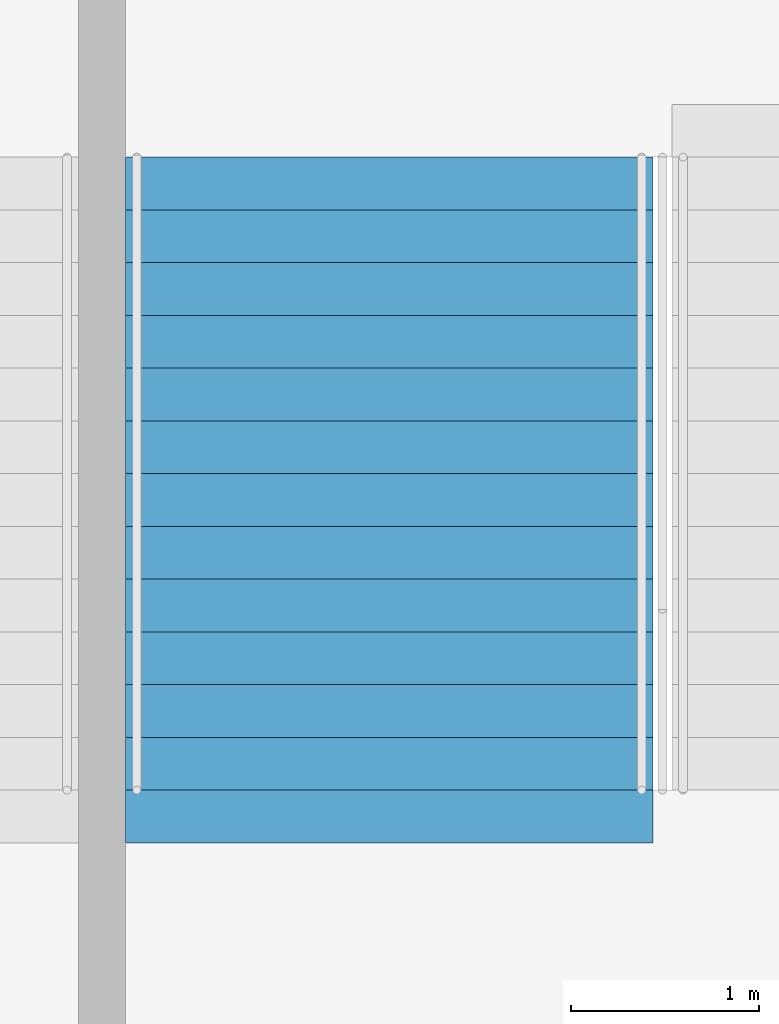
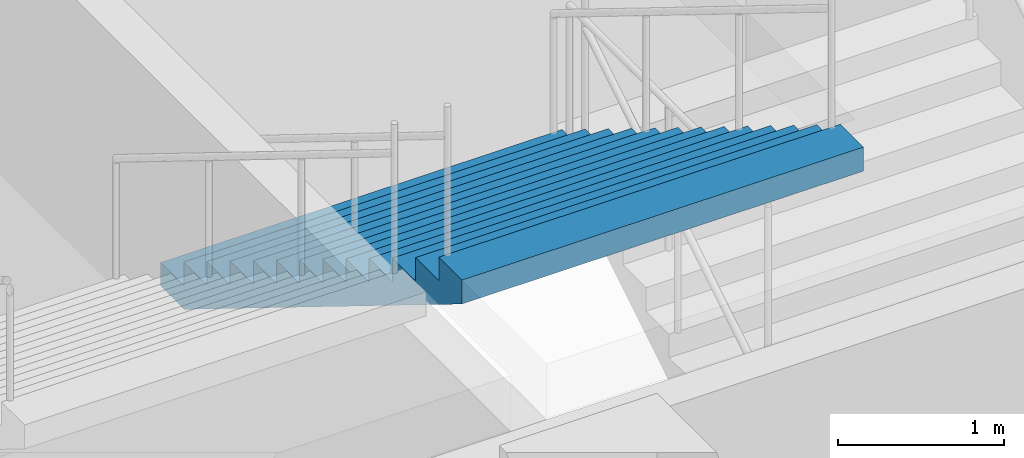
# One storey, part 164 of 199: 1 stair flight, 1 element without a shape of its own.
"""IFC4 building model written with IfcOpenShell, lengths in metres."""

from ifc_helpers import new_model, si_unit, direction, frame, origin, place, context, subcontext, project, spatial, faceted_brep, material, type_object, element, aggregate, save


model = new_model("IFC4")

# Units and contexts
model_context = context("Model", 3, precision=1e-05, world=origin(), true_north=direction((0.0, 1.0)))
body_context = subcontext(model_context, "Body", "Model", "MODEL_VIEW")
ifc_project = project(units=[si_unit("LENGTHUNIT", "METRE"), si_unit("AREAUNIT", "SQUARE_METRE"), si_unit("VOLUMEUNIT", "CUBIC_METRE"), si_unit("PLANEANGLEUNIT", "RADIAN"), si_unit("MASSUNIT", "GRAM", prefix="KILO")], contexts=[model_context])

# Site, building, storey
site_placement = place(None, origin())
site = spatial("IfcSite", under=ifc_project, at=site_placement, CompositionType="ELEMENT")
building_placement = place(site_placement, origin())
building = spatial("IfcBuilding", under=site, at=building_placement, Name="Ogive Plaza Stadium", CompositionType="ELEMENT")
storey_placement = place(building_placement, frame((0.0, 0.0, 4.5)))
storey = spatial("IfcBuildingStorey", under=building, at=storey_placement, Name="L01", CompositionType="ELEMENT", Elevation=4.5)

# Stair, stair flight
ifc_material_1 = material(Name="Concrete C40/50", Category="concrete")
stair_type = type_object("IfcStairType", Name="Exit stair", PredefinedType="STRAIGHT_RUN_STAIR", material=ifc_material_1)
stair_placement = place(storey_placement, origin())
stair = element("IfcStair", 1, at=stair_placement, inside=storey, type_object=stair_type, Name="Exit stair ST32A L01 to L02", PredefinedType="STRAIGHT_RUN_STAIR")
ifc_material_2 = material(Name="Concrete C40/50", Category="concrete")
stair_flight_type = type_object("IfcStairFlightType", Name="Exit stair flight", PredefinedType="STRAIGHT", material=ifc_material_2)
stair_flight_placement = place(storey_placement, frame((-32.47509765625, 98.2099609375, 2.25), z_axis=(0.0, 0.0, 1.0), x_axis=(0.0, -1.0, 0.0)))
stair_flight = element("IfcStairFlight", 2, at=stair_flight_placement, type_object=stair_flight_type, Name="ST32A flight 2", NumberOfRisers=13, NumberOfTreads=12, PredefinedType="STRAIGHT", RiserHeight=0.173076923, TreadLength=0.28, context=body_context, shape_type="Brep", body=[
    faceted_brep([(0.28515625, -1.39990234375, 0.0), (3.639892578125, -1.39990234375, 2.07373046875), (3.639892578125, -1.39990234375, 2.25), (3.360107421875, -1.39990234375, 2.25), (3.360107421875, -1.39990234375, 2.076904296875), (3.080078125, -1.39990234375, 2.076904296875), (3.080078125, -1.39990234375, 1.90380859375), (2.800048828125, -1.39990234375, 1.90380859375), (2.800048828125, -1.39990234375, 1.730712890625), (2.52001953125, -1.39990234375, 1.730712890625), (2.52001953125, -1.39990234375, 1.5576171875), (2.239990234375, -1.39990234375, 1.5576171875), (2.239990234375, -1.39990234375, 1.384521484375), (1.9599609375, -1.39990234375, 1.384521484375), (1.9599609375, -1.39990234375, 1.21142578125), (1.679931640625, -1.39990234375, 1.21142578125), (1.679931640625, -1.39990234375, 1.03857421875), (1.39990234375, -1.39990234375, 1.03857421875), (1.39990234375, -1.39990234375, 0.865478515625), (1.1201171875, -1.39990234375, 0.865478515625), (1.1201171875, -1.39990234375, 0.6923828125), (0.840087890625, -1.39990234375, 0.6923828125), (0.840087890625, -1.39990234375, 0.519287109375), (0.56005859375, -1.39990234375, 0.519287109375), (0.56005859375, -1.39990234375, 0.34619140625), (0.280029296875, -1.39990234375, 0.34619140625), (0.280029296875, -1.39990234375, 0.173095703125), (0.0, -1.39990234375, 0.173095703125), (0.0, -1.39990234375, 0.0), (0.0, 1.39990234375, 0.0), (0.0, 1.39990234375, 0.173095703125), (0.280029296875, 1.39990234375, 0.173095703125), (0.280029296875, 1.39990234375, 0.34619140625), (0.56005859375, 1.39990234375, 0.34619140625), (0.56005859375, 1.39990234375, 0.519287109375), (0.840087890625, 1.39990234375, 0.519287109375), (0.840087890625, 1.39990234375, 0.6923828125), (1.1201171875, 1.39990234375, 0.6923828125), (1.1201171875, 1.39990234375, 0.865478515625), (1.39990234375, 1.39990234375, 0.865478515625), (1.39990234375, 1.39990234375, 1.03857421875), (1.679931640625, 1.39990234375, 1.03857421875), (1.679931640625, 1.39990234375, 1.21142578125), (1.9599609375, 1.39990234375, 1.21142578125), (1.9599609375, 1.39990234375, 1.384521484375), (2.239990234375, 1.39990234375, 1.384521484375), (2.239990234375, 1.39990234375, 1.5576171875), (2.52001953125, 1.39990234375, 1.5576171875), (2.52001953125, 1.39990234375, 1.730712890625), (2.800048828125, 1.39990234375, 1.730712890625), (2.800048828125, 1.39990234375, 1.90380859375), (3.080078125, 1.39990234375, 1.90380859375), (3.080078125, 1.39990234375, 2.076904296875), (3.360107421875, 1.39990234375, 2.076904296875), (3.360107421875, 1.39990234375, 2.25), (3.639892578125, 1.39990234375, 2.25), (3.639892578125, 1.39990234375, 2.07373046875), (0.28515625, 1.39990234375, 0.0), (0.28515625, -1.0888671875, 0.0), (3.639892578125, -1.0888671875, 2.07373046875), (0.28515625, -0.77783203125, 0.0), (3.639892578125, -0.77783203125, 2.07373046875), (0.28515625, -0.466796875, 0.0), (3.639892578125, -0.466796875, 2.07373046875), (0.28515625, -0.155517578125, 0.0), (3.639892578125, -0.155517578125, 2.07373046875), (0.28515625, 0.155517578125, 0.0), (3.639892578125, 0.155517578125, 2.07373046875), (0.28515625, 0.466796875, 0.0), (3.639892578125, 0.466796875, 2.07373046875), (0.28515625, 0.77783203125, 0.0), (3.639892578125, 0.77783203125, 2.07373046875), (0.28515625, 1.0888671875, 0.0), (3.639892578125, 1.0888671875, 2.07373046875), (3.639892578125, -1.0888671875, 2.25), (3.639892578125, -0.77783203125, 2.25), (3.639892578125, -0.466796875, 2.25), (3.639892578125, -0.155517578125, 2.25), (3.639892578125, 0.155517578125, 2.25), (3.639892578125, 0.466796875, 2.25), (3.639892578125, 0.77783203125, 2.25), (3.639892578125, 1.0888671875, 2.25), (3.360107421875, -1.0888671875, 2.25), (3.360107421875, -0.77783203125, 2.25), (3.360107421875, -0.466796875, 2.25), (3.360107421875, -0.155517578125, 2.25), (3.360107421875, 0.155517578125, 2.25), (3.360107421875, 0.466796875, 2.25), (3.360107421875, 0.77783203125, 2.25), (3.360107421875, 1.0888671875, 2.25), (3.360107421875, -1.0888671875, 2.076904296875), (3.360107421875, -0.77783203125, 2.076904296875), (3.360107421875, -0.466796875, 2.076904296875), (3.360107421875, -0.155517578125, 2.076904296875), (3.360107421875, 0.155517578125, 2.076904296875), (3.360107421875, 0.466796875, 2.076904296875), (3.360107421875, 0.77783203125, 2.076904296875), (3.360107421875, 1.0888671875, 2.076904296875), (3.080078125, -1.0888671875, 2.076904296875), (3.080078125, -0.77783203125, 2.076904296875), (3.080078125, -0.466796875, 2.076904296875), (3.080078125, -0.155517578125, 2.076904296875), (3.080078125, 0.155517578125, 2.076904296875), (3.080078125, 0.466796875, 2.076904296875), (3.080078125, 0.77783203125, 2.076904296875), (3.080078125, 1.0888671875, 2.076904296875), (3.080078125, -1.0888671875, 1.90380859375), (3.080078125, -0.77783203125, 1.90380859375), (3.080078125, -0.466796875, 1.90380859375), (3.080078125, -0.155517578125, 1.90380859375), (3.080078125, 0.155517578125, 1.90380859375), (3.080078125, 0.466796875, 1.90380859375), (3.080078125, 0.77783203125, 1.90380859375), (3.080078125, 1.0888671875, 1.90380859375), (2.800048828125, -1.0888671875, 1.90380859375), (2.800048828125, -0.77783203125, 1.90380859375), (2.800048828125, -0.466796875, 1.90380859375), (2.800048828125, -0.155517578125, 1.90380859375), (2.800048828125, 0.155517578125, 1.90380859375), (2.800048828125, 0.466796875, 1.90380859375), (2.800048828125, 0.77783203125, 1.90380859375), (2.800048828125, 1.0888671875, 1.90380859375), (2.800048828125, -1.0888671875, 1.730712890625), (2.800048828125, -0.77783203125, 1.730712890625), (2.800048828125, -0.466796875, 1.730712890625), (2.800048828125, -0.155517578125, 1.730712890625), (2.800048828125, 0.155517578125, 1.730712890625), (2.800048828125, 0.466796875, 1.730712890625), (2.800048828125, 0.77783203125, 1.730712890625), (2.800048828125, 1.0888671875, 1.730712890625), (2.52001953125, -1.0888671875, 1.730712890625), (2.52001953125, -0.77783203125, 1.730712890625), (2.52001953125, -0.466796875, 1.730712890625), (2.52001953125, -0.155517578125, 1.730712890625), (2.52001953125, 0.155517578125, 1.730712890625), (2.52001953125, 0.466796875, 1.730712890625), (2.52001953125, 0.77783203125, 1.730712890625), (2.52001953125, 1.0888671875, 1.730712890625), (2.52001953125, -1.0888671875, 1.5576171875), (2.52001953125, -0.77783203125, 1.5576171875), (2.52001953125, -0.466796875, 1.5576171875), (2.52001953125, -0.155517578125, 1.5576171875), (2.52001953125, 0.155517578125, 1.5576171875), (2.52001953125, 0.466796875, 1.5576171875), (2.52001953125, 0.77783203125, 1.5576171875), (2.52001953125, 1.0888671875, 1.5576171875), (2.239990234375, -1.0888671875, 1.5576171875), (2.239990234375, -0.77783203125, 1.5576171875), (2.239990234375, -0.466796875, 1.5576171875), (2.239990234375, -0.155517578125, 1.5576171875), (2.239990234375, 0.155517578125, 1.5576171875), (2.239990234375, 0.466796875, 1.5576171875), (2.239990234375, 0.77783203125, 1.5576171875), (2.239990234375, 1.0888671875, 1.5576171875), (2.239990234375, -1.0888671875, 1.384521484375), (2.239990234375, -0.77783203125, 1.384521484375), (2.239990234375, -0.466796875, 1.384521484375), (2.239990234375, -0.155517578125, 1.384521484375), (2.239990234375, 0.155517578125, 1.384521484375), (2.239990234375, 0.466796875, 1.384521484375), (2.239990234375, 0.77783203125, 1.384521484375), (2.239990234375, 1.0888671875, 1.384521484375), (1.9599609375, -1.0888671875, 1.384521484375), (1.9599609375, -0.77783203125, 1.384521484375), (1.9599609375, -0.466796875, 1.384521484375), (1.9599609375, -0.155517578125, 1.384521484375), (1.9599609375, 0.155517578125, 1.384521484375), (1.9599609375, 0.466796875, 1.384521484375), (1.9599609375, 0.77783203125, 1.384521484375), (1.9599609375, 1.0888671875, 1.384521484375), (1.9599609375, -1.0888671875, 1.21142578125), (1.9599609375, -0.77783203125, 1.21142578125), (1.9599609375, -0.466796875, 1.21142578125), (1.9599609375, -0.155517578125, 1.21142578125), (1.9599609375, 0.155517578125, 1.21142578125), (1.9599609375, 0.466796875, 1.21142578125), (1.9599609375, 0.77783203125, 1.21142578125), (1.9599609375, 1.0888671875, 1.21142578125), (1.679931640625, -1.0888671875, 1.21142578125), (1.679931640625, -0.77783203125, 1.21142578125), (1.679931640625, -0.466796875, 1.21142578125), (1.679931640625, -0.155517578125, 1.21142578125), (1.679931640625, 0.155517578125, 1.21142578125), (1.679931640625, 0.466796875, 1.21142578125), (1.679931640625, 0.77783203125, 1.21142578125), (1.679931640625, 1.0888671875, 1.21142578125), (1.679931640625, -1.0888671875, 1.03857421875), (1.679931640625, -0.77783203125, 1.03857421875), (1.679931640625, -0.466796875, 1.03857421875), (1.679931640625, -0.155517578125, 1.03857421875), (1.679931640625, 0.155517578125, 1.03857421875), (1.679931640625, 0.466796875, 1.03857421875), (1.679931640625, 0.77783203125, 1.03857421875), (1.679931640625, 1.0888671875, 1.03857421875), (1.39990234375, -1.0888671875, 1.03857421875), (1.39990234375, -0.77783203125, 1.03857421875), (1.39990234375, -0.466796875, 1.03857421875), (1.39990234375, -0.155517578125, 1.03857421875), (1.39990234375, 0.155517578125, 1.03857421875), (1.39990234375, 0.466796875, 1.03857421875), (1.39990234375, 0.77783203125, 1.03857421875), (1.39990234375, 1.0888671875, 1.03857421875), (1.39990234375, -1.0888671875, 0.865478515625), (1.39990234375, -0.77783203125, 0.865478515625), (1.39990234375, -0.466796875, 0.865478515625), (1.39990234375, -0.155517578125, 0.865478515625), (1.39990234375, 0.155517578125, 0.865478515625), (1.39990234375, 0.466796875, 0.865478515625), (1.39990234375, 0.77783203125, 0.865478515625), (1.39990234375, 1.0888671875, 0.865478515625), (1.1201171875, -1.0888671875, 0.865478515625), (1.1201171875, -0.77783203125, 0.865478515625), (1.1201171875, -0.466796875, 0.865478515625), (1.1201171875, -0.155517578125, 0.865478515625), (1.1201171875, 0.155517578125, 0.865478515625), (1.1201171875, 0.466796875, 0.865478515625), (1.1201171875, 0.77783203125, 0.865478515625), (1.1201171875, 1.0888671875, 0.865478515625), (1.1201171875, -1.0888671875, 0.6923828125), (1.1201171875, -0.77783203125, 0.6923828125), (1.1201171875, -0.466796875, 0.6923828125), (1.1201171875, -0.155517578125, 0.6923828125), (1.1201171875, 0.155517578125, 0.6923828125), (1.1201171875, 0.466796875, 0.6923828125), (1.1201171875, 0.77783203125, 0.6923828125), (1.1201171875, 1.0888671875, 0.6923828125), (0.840087890625, -1.0888671875, 0.6923828125), (0.840087890625, -0.77783203125, 0.6923828125), (0.840087890625, -0.466796875, 0.6923828125), (0.840087890625, -0.155517578125, 0.6923828125), (0.840087890625, 0.155517578125, 0.6923828125), (0.840087890625, 0.466796875, 0.6923828125), (0.840087890625, 0.77783203125, 0.6923828125), (0.840087890625, 1.0888671875, 0.6923828125), (0.840087890625, -1.0888671875, 0.519287109375), (0.840087890625, -0.77783203125, 0.519287109375), (0.840087890625, -0.466796875, 0.519287109375), (0.840087890625, -0.155517578125, 0.519287109375), (0.840087890625, 0.155517578125, 0.519287109375), (0.840087890625, 0.466796875, 0.519287109375), (0.840087890625, 0.77783203125, 0.519287109375), (0.840087890625, 1.0888671875, 0.519287109375), (0.56005859375, -1.0888671875, 0.519287109375), (0.56005859375, -0.77783203125, 0.519287109375), (0.56005859375, -0.466796875, 0.519287109375), (0.56005859375, -0.155517578125, 0.519287109375), (0.56005859375, 0.155517578125, 0.519287109375), (0.56005859375, 0.466796875, 0.519287109375), (0.56005859375, 0.77783203125, 0.519287109375), (0.56005859375, 1.0888671875, 0.519287109375), (0.56005859375, -1.0888671875, 0.34619140625), (0.56005859375, -0.77783203125, 0.34619140625), (0.56005859375, -0.466796875, 0.34619140625), (0.56005859375, -0.155517578125, 0.34619140625), (0.56005859375, 0.155517578125, 0.34619140625), (0.56005859375, 0.466796875, 0.34619140625), (0.56005859375, 0.77783203125, 0.34619140625), (0.56005859375, 1.0888671875, 0.34619140625), (0.280029296875, -1.0888671875, 0.34619140625), (0.280029296875, -0.77783203125, 0.34619140625), (0.280029296875, -0.466796875, 0.34619140625), (0.280029296875, -0.155517578125, 0.34619140625), (0.280029296875, 0.155517578125, 0.34619140625), (0.280029296875, 0.466796875, 0.34619140625), (0.280029296875, 0.77783203125, 0.34619140625), (0.280029296875, 1.0888671875, 0.34619140625), (0.280029296875, -1.0888671875, 0.173095703125), (0.280029296875, -0.77783203125, 0.173095703125), (0.280029296875, -0.466796875, 0.173095703125), (0.280029296875, -0.155517578125, 0.173095703125), (0.280029296875, 0.155517578125, 0.173095703125), (0.280029296875, 0.466796875, 0.173095703125), (0.280029296875, 0.77783203125, 0.173095703125), (0.280029296875, 1.0888671875, 0.173095703125), (0.0, -1.0888671875, 0.173095703125), (0.0, -0.77783203125, 0.173095703125), (0.0, -0.466796875, 0.173095703125), (0.0, -0.155517578125, 0.173095703125), (0.0, 0.155517578125, 0.173095703125), (0.0, 0.466796875, 0.173095703125), (0.0, 0.77783203125, 0.173095703125), (0.0, 1.0888671875, 0.173095703125), (0.0, -1.0888671875, 0.0), (0.0, -0.77783203125, 0.0), (0.0, -0.466796875, 0.0), (0.0, -0.155517578125, 0.0), (0.0, 0.155517578125, 0.0), (0.0, 0.466796875, 0.0), (0.0, 0.77783203125, 0.0), (0.0, 1.0888671875, 0.0)], [[[0, 1, 2, 3, 4, 5, 6, 7, 8, 9, 10, 11, 12, 13, 14, 15, 16, 17, 18, 19, 20, 21, 22, 23, 24, 25, 26, 27, 28]], [[29, 30, 31, 32, 33, 34, 35, 36, 37, 38, 39, 40, 41, 42, 43, 44, 45, 46, 47, 48, 49, 50, 51, 52, 53, 54, 55, 56, 57]], [[0, 58, 59, 1]], [[58, 60, 61, 59]], [[60, 62, 63, 61]], [[62, 64, 65, 63]], [[64, 66, 67, 65]], [[66, 68, 69, 67]], [[68, 70, 71, 69]], [[70, 72, 73, 71]], [[72, 57, 56, 73]], [[1, 59, 74, 2]], [[59, 61, 75, 74]], [[61, 63, 76, 75]], [[63, 65, 77, 76]], [[65, 67, 78, 77]], [[67, 69, 79, 78]], [[69, 71, 80, 79]], [[71, 73, 81, 80]], [[73, 56, 55, 81]], [[2, 74, 82, 3]], [[74, 75, 83, 82]], [[75, 76, 84, 83]], [[76, 77, 85, 84]], [[77, 78, 86, 85]], [[78, 79, 87, 86]], [[79, 80, 88, 87]], [[80, 81, 89, 88]], [[81, 55, 54, 89]], [[3, 82, 90, 4]], [[82, 83, 91, 90]], [[83, 84, 92, 91]], [[84, 85, 93, 92]], [[85, 86, 94, 93]], [[86, 87, 95, 94]], [[87, 88, 96, 95]], [[88, 89, 97, 96]], [[89, 54, 53, 97]], [[4, 90, 98, 5]], [[90, 91, 99, 98]], [[91, 92, 100, 99]], [[92, 93, 101, 100]], [[93, 94, 102, 101]], [[94, 95, 103, 102]], [[95, 96, 104, 103]], [[96, 97, 105, 104]], [[97, 53, 52, 105]], [[5, 98, 106, 6]], [[98, 99, 107, 106]], [[99, 100, 108, 107]], [[100, 101, 109, 108]], [[101, 102, 110, 109]], [[102, 103, 111, 110]], [[103, 104, 112, 111]], [[104, 105, 113, 112]], [[105, 52, 51, 113]], [[6, 106, 114, 7]], [[106, 107, 115, 114]], [[107, 108, 116, 115]], [[108, 109, 117, 116]], [[109, 110, 118, 117]], [[110, 111, 119, 118]], [[111, 112, 120, 119]], [[112, 113, 121, 120]], [[113, 51, 50, 121]], [[7, 114, 122, 8]], [[114, 115, 123, 122]], [[115, 116, 124, 123]], [[116, 117, 125, 124]], [[117, 118, 126, 125]], [[118, 119, 127, 126]], [[119, 120, 128, 127]], [[120, 121, 129, 128]], [[121, 50, 49, 129]], [[8, 122, 130, 9]], [[122, 123, 131, 130]], [[123, 124, 132, 131]], [[124, 125, 133, 132]], [[125, 126, 134, 133]], [[126, 127, 135, 134]], [[127, 128, 136, 135]], [[128, 129, 137, 136]], [[129, 49, 48, 137]], [[9, 130, 138, 10]], [[130, 131, 139, 138]], [[131, 132, 140, 139]], [[132, 133, 141, 140]], [[133, 134, 142, 141]], [[134, 135, 143, 142]], [[135, 136, 144, 143]], [[136, 137, 145, 144]], [[137, 48, 47, 145]], [[10, 138, 146, 11]], [[138, 139, 147, 146]], [[139, 140, 148, 147]], [[140, 141, 149, 148]], [[141, 142, 150, 149]], [[142, 143, 151, 150]], [[143, 144, 152, 151]], [[144, 145, 153, 152]], [[145, 47, 46, 153]], [[11, 146, 154, 12]], [[146, 147, 155, 154]], [[147, 148, 156, 155]], [[148, 149, 157, 156]], [[149, 150, 158, 157]], [[150, 151, 159, 158]], [[151, 152, 160, 159]], [[152, 153, 161, 160]], [[153, 46, 45, 161]], [[12, 154, 162, 13]], [[154, 155, 163, 162]], [[155, 156, 164, 163]], [[156, 157, 165, 164]], [[157, 158, 166, 165]], [[158, 159, 167, 166]], [[159, 160, 168, 167]], [[160, 161, 169, 168]], [[161, 45, 44, 169]], [[13, 162, 170, 14]], [[162, 163, 171, 170]], [[163, 164, 172, 171]], [[164, 165, 173, 172]], [[165, 166, 174, 173]], [[166, 167, 175, 174]], [[167, 168, 176, 175]], [[168, 169, 177, 176]], [[169, 44, 43, 177]], [[14, 170, 178, 15]], [[170, 171, 179, 178]], [[171, 172, 180, 179]], [[172, 173, 181, 180]], [[173, 174, 182, 181]], [[174, 175, 183, 182]], [[175, 176, 184, 183]], [[176, 177, 185, 184]], [[177, 43, 42, 185]], [[15, 178, 186, 16]], [[178, 179, 187, 186]], [[179, 180, 188, 187]], [[180, 181, 189, 188]], [[181, 182, 190, 189]], [[182, 183, 191, 190]], [[183, 184, 192, 191]], [[184, 185, 193, 192]], [[185, 42, 41, 193]], [[16, 186, 194, 17]], [[186, 187, 195, 194]], [[187, 188, 196, 195]], [[188, 189, 197, 196]], [[189, 190, 198, 197]], [[190, 191, 199, 198]], [[191, 192, 200, 199]], [[192, 193, 201, 200]], [[193, 41, 40, 201]], [[17, 194, 202, 18]], [[194, 195, 203, 202]], [[195, 196, 204, 203]], [[196, 197, 205, 204]], [[197, 198, 206, 205]], [[198, 199, 207, 206]], [[199, 200, 208, 207]], [[200, 201, 209, 208]], [[201, 40, 39, 209]], [[18, 202, 210, 19]], [[202, 203, 211, 210]], [[203, 204, 212, 211]], [[204, 205, 213, 212]], [[205, 206, 214, 213]], [[206, 207, 215, 214]], [[207, 208, 216, 215]], [[208, 209, 217, 216]], [[209, 39, 38, 217]], [[19, 210, 218, 20]], [[210, 211, 219, 218]], [[211, 212, 220, 219]], [[212, 213, 221, 220]], [[213, 214, 222, 221]], [[214, 215, 223, 222]], [[215, 216, 224, 223]], [[216, 217, 225, 224]], [[217, 38, 37, 225]], [[20, 218, 226, 21]], [[218, 219, 227, 226]], [[219, 220, 228, 227]], [[220, 221, 229, 228]], [[221, 222, 230, 229]], [[222, 223, 231, 230]], [[223, 224, 232, 231]], [[224, 225, 233, 232]], [[225, 37, 36, 233]], [[21, 226, 234, 22]], [[226, 227, 235, 234]], [[227, 228, 236, 235]], [[228, 229, 237, 236]], [[229, 230, 238, 237]], [[230, 231, 239, 238]], [[231, 232, 240, 239]], [[232, 233, 241, 240]], [[233, 36, 35, 241]], [[22, 234, 242, 23]], [[234, 235, 243, 242]], [[235, 236, 244, 243]], [[236, 237, 245, 244]], [[237, 238, 246, 245]], [[238, 239, 247, 246]], [[239, 240, 248, 247]], [[240, 241, 249, 248]], [[241, 35, 34, 249]], [[23, 242, 250, 24]], [[242, 243, 251, 250]], [[243, 244, 252, 251]], [[244, 245, 253, 252]], [[245, 246, 254, 253]], [[246, 247, 255, 254]], [[247, 248, 256, 255]], [[248, 249, 257, 256]], [[249, 34, 33, 257]], [[24, 250, 258, 25]], [[250, 251, 259, 258]], [[251, 252, 260, 259]], [[252, 253, 261, 260]], [[253, 254, 262, 261]], [[254, 255, 263, 262]], [[255, 256, 264, 263]], [[256, 257, 265, 264]], [[257, 33, 32, 265]], [[25, 258, 266, 26]], [[258, 259, 267, 266]], [[259, 260, 268, 267]], [[260, 261, 269, 268]], [[261, 262, 270, 269]], [[262, 263, 271, 270]], [[263, 264, 272, 271]], [[264, 265, 273, 272]], [[265, 32, 31, 273]], [[26, 266, 274, 27]], [[266, 267, 275, 274]], [[267, 268, 276, 275]], [[268, 269, 277, 276]], [[269, 270, 278, 277]], [[270, 271, 279, 278]], [[271, 272, 280, 279]], [[272, 273, 281, 280]], [[273, 31, 30, 281]], [[27, 274, 282, 28]], [[274, 275, 283, 282]], [[275, 276, 284, 283]], [[276, 277, 285, 284]], [[277, 278, 286, 285]], [[278, 279, 287, 286]], [[279, 280, 288, 287]], [[280, 281, 289, 288]], [[281, 30, 29, 289]], [[28, 282, 58, 0]], [[282, 283, 60, 58]], [[283, 284, 62, 60]], [[284, 285, 64, 62]], [[285, 286, 66, 64]], [[286, 287, 68, 66]], [[287, 288, 70, 68]], [[288, 289, 72, 70]], [[289, 29, 57, 72]]]),
])
aggregate(stair, [stair_flight])

save(model, "model.ifc")
